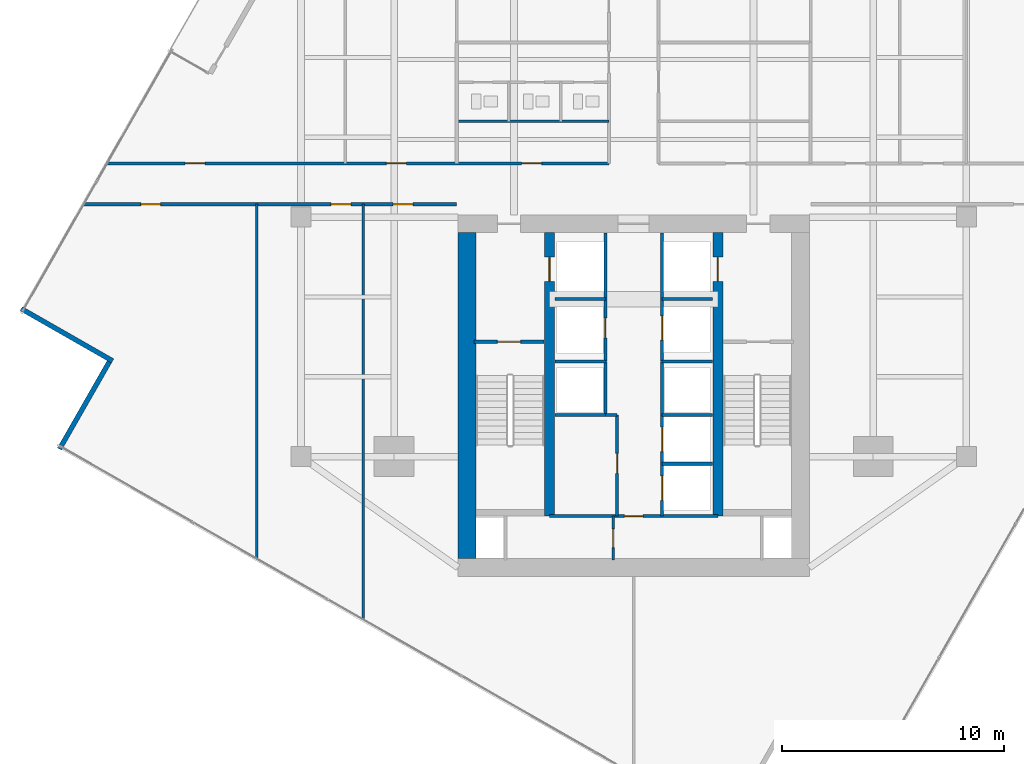
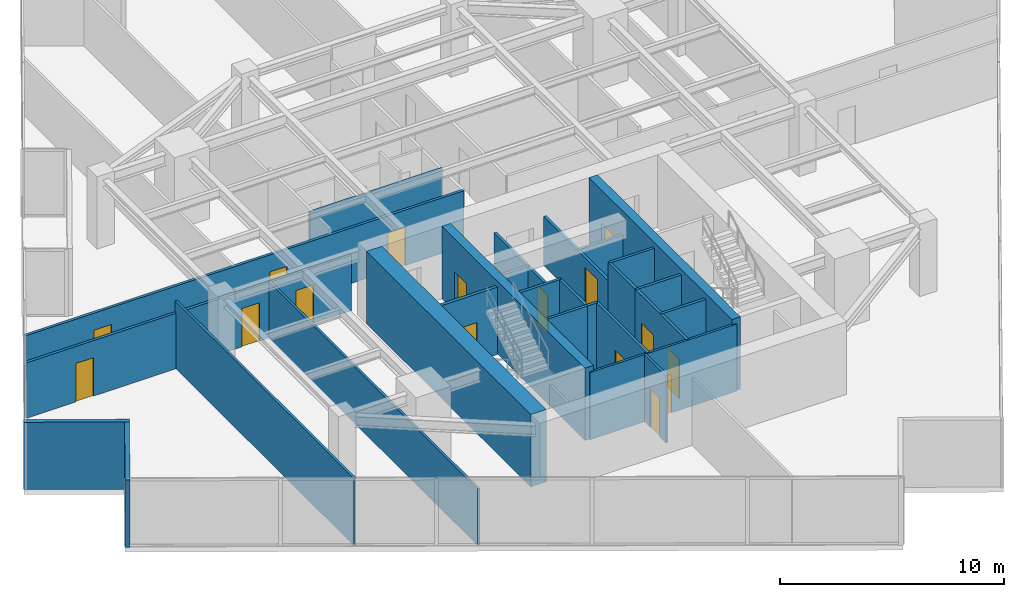
# One storey, part 20 of 24: 27 walls, 16 doors, 16 openings.
"""IFC4 building model written with IfcOpenShell, lengths in metres."""

from ifc_helpers import new_model, si_unit, direction, frame, frame_2d, origin, place, context, subcontext, project, spatial, rectangle, extrude, material, layer, layer_set, type_object, element, fill, save


model = new_model("IFC4")

# Units and contexts
model_context = context("Model", 3, precision=1e-05, world=origin(), true_north=direction((0.0, 1.0)))
body_context = subcontext(model_context, "Body", "Model", "MODEL_VIEW")
ifc_project = project(units=[si_unit("LENGTHUNIT", "METRE"), si_unit("AREAUNIT", "SQUARE_METRE"), si_unit("VOLUMEUNIT", "CUBIC_METRE"), si_unit("PLANEANGLEUNIT", "RADIAN"), si_unit("MASSUNIT", "GRAM", prefix="KILO")], contexts=[model_context])

# Site, building, storey
site_placement = place(None, origin())
site = spatial("IfcSite", under=ifc_project, at=site_placement, CompositionType="ELEMENT")
building_placement = place(site_placement, origin())
building = spatial("IfcBuilding", under=site, at=building_placement, Name="Krantzveldt Concourse Tower", CompositionType="ELEMENT")
storey_placement = place(building_placement, frame((0.0, 0.0, 165.949951171875)))
storey = spatial("IfcBuildingStorey", under=building, at=storey_placement, Name="L40", CompositionType="ELEMENT", Elevation=165.949951171875)

# Walls
ifc_material_1 = material(Name="Anodised aluminium 6063-T6", Category="aluminium")
ifc_layer_1 = layer(ifc_material_1, 0.219970703125, Name="Anodised aluminium 6063-T6", Category="aluminium")
ifc_layer_set_1 = layer_set([ifc_layer_1], Name="Anodised aluminium 6063-T6 (WL-EXT-NOTCH220)")
wall_type_1 = type_object("IfcWallType", Name="WL-EXT-NOTCH220", PredefinedType="ELEMENTEDWALL", material=ifc_layer_set_1)
wall_1_placement = place(storey_placement, frame((8.38525390625, 22.568359375, 0.0), z_axis=(0.0, 0.0, 1.0), x_axis=(0.868192474665, -0.496227595903, 0.0)))
element("IfcWall", 1, at=wall_1_placement, inside=storey, type_object=wall_type_1, Name="EW-L40-NCH06", PredefinedType="ELEMENTEDWALL", context=body_context, shape_type="SweptSolid", body=[
    extrude(rectangle(XDim=4.744873046875, YDim=0.219970703125, at=frame_2d((2.37255859375, 0.0))), origin(), (0.0, 0.0, 1.0), 3.670166015625),
])
wall_2_placement = place(storey_placement, frame((12.354736328125, 20.1728515625, 0.0), z_axis=(0.0, 0.0, 1.0), x_axis=(-0.496226094278, -0.868193332938, 0.0)))
element("IfcWall", 2, at=wall_2_placement, inside=storey, type_object=wall_type_1, Name="EW-L40-NCH07", PredefinedType="ELEMENTEDWALL", context=body_context, shape_type="SweptSolid", body=[
    extrude(rectangle(XDim=4.52490234375, YDim=0.219970703125, at=frame_2d((2.262451171875, 0.0))), origin(), (0.0, 0.0, 1.0), 3.670166015625),
])

# Wall, opening, door
ifc_material_2 = material(Name="Fire-rated gypsum plasterboard on steel stud", Category="steel")
ifc_layer_2 = layer(ifc_material_2, 0.1201171875, Name="Fire-rated gypsum plasterboard on steel stud", Category="steel")
ifc_layer_set_2 = layer_set([ifc_layer_2], Name="Fire-rated gypsum plasterboard on steel stud (WL-PART-120)")
wall_type_2 = type_object("IfcWallType", Name="WL-PART-120", PredefinedType="PARTITIONING", material=ifc_layer_set_2)
wall_3_placement = place(storey_placement, frame((32.2099609375, 13.219970703125, 0.0), z_axis=(0.0, 0.0, 1.0), x_axis=(1.0, 0.0, 0.0)))
wall_3 = element("IfcWall", 3, at=wall_3_placement, inside=storey, type_object=wall_type_2, Name="WP-L40-CS2H", PredefinedType="PARTITIONING", context=body_context, shape_type="SweptSolid", body=[
    extrude(rectangle(XDim=7.580078125, YDim=0.1201171875, at=frame_2d((3.7900390625, 0.0))), origin(), (0.0, 0.0, 1.0), 3.670166015625),
])
opening_1_placement = place(wall_3_placement, frame((3.364990234375, 0.0, 0.0)))
opening_1 = element("IfcOpeningElement", 4, at=opening_1_placement, cuts=wall_3, Name="Opening D-IN085", PredefinedType="OPENING", context=body_context, shape_type="SweptSolid", body=[
    extrude(rectangle(XDim=0.85009765625, YDim=2.10009765625, at=frame_2d((0.425048828125, 1.050048828125))), frame((0.0, 0.070068359375, 0.0), z_axis=(0.0, -1.0, 0.0), x_axis=(1.0, 0.0, 0.0)), (0.0, 0.0, 1.0), 0.14013671875),
])
ifc_material_3 = material(Name="Hardwood timber", Category="wood")
door_type_1 = type_object("IfcDoorType", Name="DR-INT-850", OperationType="SINGLE_SWING_LEFT", PredefinedType="DOOR", material=ifc_material_3)
door_1_placement = place(opening_1_placement, origin())
door_1 = element("IfcDoor", 5, at=door_1_placement, inside=storey, type_object=door_type_1, Name="DR-L40-LLBS", OperationType="SINGLE_SWING_RIGHT", OverallHeight=2.10009765625, OverallWidth=0.85009765625, PredefinedType="DOOR", context=body_context, shape_type="SweptSolid", body=[
    extrude(rectangle(XDim=0.85009765625, YDim=2.10009765625, at=frame_2d((0.425048828125, 1.050048828125))), frame((0.0, 0.02490234375, 0.0), z_axis=(0.0, -1.0, 0.0), x_axis=(1.0, 0.0, 0.0)), (0.0, 0.0, 1.0), 0.050048828125),
])
fill(opening_1, door_1)

wall_4_placement = place(storey_placement, frame((35.080078125, 11.25, 0.0), z_axis=(0.0, 0.0, 1.0), x_axis=(0.0, 1.0, 0.0)))
wall_4 = element("IfcWall", 6, at=wall_4_placement, inside=storey, type_object=wall_type_2, Name="WP-L40-CSA-V", PredefinedType="PARTITIONING", context=body_context, shape_type="SweptSolid", body=[
    extrude(rectangle(XDim=1.969970703125, YDim=0.1201171875, at=frame_2d((0.98486328125, 0.0))), origin(), (0.0, 0.0, 1.0), 3.670166015625),
])
opening_2_placement = place(wall_4_placement, frame((0.544921875, 0.0, 0.0)))
opening_2 = element("IfcOpeningElement", 7, at=opening_2_placement, cuts=wall_4, Name="Opening D-IN085", PredefinedType="OPENING", context=body_context, shape_type="SweptSolid", body=[
    extrude(rectangle(XDim=0.85009765625, YDim=2.10009765625, at=frame_2d((0.425048828125, 1.050048828125))), frame((0.0, 0.070068359375, 0.0), z_axis=(0.0, -1.0, 0.0), x_axis=(1.0, 0.0, 0.0)), (0.0, 0.0, 1.0), 0.14013671875),
])
door_2_placement = place(opening_2_placement, origin())
door_2 = element("IfcDoor", 8, at=door_2_placement, inside=storey, type_object=door_type_1, Name="DR-L40-CSA1", OperationType="SINGLE_SWING_LEFT", OverallHeight=2.10009765625, OverallWidth=0.85009765625, PredefinedType="DOOR", context=body_context, shape_type="SweptSolid", body=[
    extrude(rectangle(XDim=0.85009765625, YDim=2.10009765625, at=frame_2d((0.425048828125, 1.050048828125))), frame((0.0, 0.02490234375, 0.0), z_axis=(0.0, -1.0, 0.0), x_axis=(1.0, 0.0, 0.0)), (0.0, 0.0, 1.0), 0.050048828125),
])
fill(opening_2, door_2)

# Walls
wall_5_placement = place(storey_placement, frame((28.02001953125, 31.02001953125, 0.0), z_axis=(0.0, 0.0, 1.0), x_axis=(1.0, 0.0, 0.0)))
element("IfcWall", 9, at=wall_5_placement, inside=storey, type_object=wall_type_2, Name="WP-L40-ISML", PredefinedType="PARTITIONING", context=body_context, shape_type="SweptSolid", body=[
    extrude(rectangle(XDim=6.85986328125, YDim=0.1201171875, at=frame_2d((3.429931640625, 0.0))), origin(), (0.0, 0.0, 1.0), 3.080078125),
])
wall_6_placement = place(storey_placement, frame((19.0, 11.29541015625, 0.0), z_axis=(0.0, 0.0, 1.0), x_axis=(0.0, 1.0, 0.0)))
element("IfcWall", 10, at=wall_6_placement, inside=storey, type_object=wall_type_2, Name="WP-L40-SWX1", PredefinedType="PARTITIONING", context=body_context, shape_type="SweptSolid", body=[
    extrude(rectangle(XDim=15.984619140625, YDim=0.1201171875, at=frame_2d((7.9921875, 0.0))), origin(), (0.0, 0.0, 1.0), 3.670166015625),
])
wall_7_placement = place(storey_placement, frame((23.800048828125, 8.552001953125, 0.0), z_axis=(0.0, 0.0, 1.0), x_axis=(0.0, 1.0, 0.0)))
element("IfcWall", 11, at=wall_7_placement, inside=storey, type_object=wall_type_2, Name="WP-L40-SWX2", PredefinedType="PARTITIONING", context=body_context, shape_type="SweptSolid", body=[
    extrude(rectangle(XDim=18.72802734375, YDim=0.1201171875, at=frame_2d((9.364013671875, 0.0))), origin(), (0.0, 0.0, 1.0), 3.080078125),
])

# Wall, openings, doors
ifc_layer_3 = layer(ifc_material_2, 0.139892578125, Name="Fire-rated gypsum plasterboard on steel stud", Category="steel")
ifc_layer_set_3 = layer_set([ifc_layer_3], Name="Fire-rated gypsum plasterboard on steel stud (WL-PART-140)")
wall_type_3 = type_object("IfcWallType", Name="WL-PART-140", PredefinedType="PARTITIONING", material=ifc_layer_set_3)
wall_8_placement = place(storey_placement, frame((12.26220703125, 29.1201171875, 0.0), z_axis=(0.0, 0.0, 1.0), x_axis=(1.0, 0.0, 0.0)))
wall_8 = element("IfcWall", 12, at=wall_8_placement, inside=storey, type_object=wall_type_3, Name="WP-L40-EWNL", PredefinedType="PARTITIONING", context=body_context, shape_type="SweptSolid", body=[
    extrude(rectangle(XDim=22.61767578125, YDim=0.139892578125, at=frame_2d((11.308837890625, 0.0))), origin(), (0.0, 0.0, 1.0), 3.030029296875),
])
opening_3_placement = place(wall_8_placement, frame((18.687744140625, 0.0, 0.0)))
opening_3 = element("IfcOpeningElement", 13, at=opening_3_placement, cuts=wall_8, Name="Opening D-IN090", PredefinedType="OPENING", context=body_context, shape_type="SweptSolid", body=[
    extrude(rectangle(XDim=0.89990234375, YDim=2.10009765625, at=frame_2d((0.449951171875, 1.050048828125))), frame((0.0, 0.080078125, 0.0), z_axis=(0.0, -1.0, 0.0), x_axis=(1.0, 0.0, 0.0)), (0.0, 0.0, 1.0), 0.159912109375),
])
opening_4_placement = place(wall_8_placement, frame((3.513916015625, 0.0, 0.0)))
opening_4 = element("IfcOpeningElement", 14, at=opening_4_placement, cuts=wall_8, Name="Opening D-IN090", PredefinedType="OPENING", context=body_context, shape_type="SweptSolid", body=[
    extrude(rectangle(XDim=0.89990234375, YDim=2.10009765625, at=frame_2d((0.449951171875, 1.050048828125))), frame((0.0, 0.080078125, 0.0), z_axis=(0.0, -1.0, 0.0), x_axis=(1.0, 0.0, 0.0)), (0.0, 0.0, 1.0), 0.159912109375),
])
opening_5_placement = place(wall_8_placement, frame((12.587890625, 0.0, 0.0)))
opening_5 = element("IfcOpeningElement", 15, at=opening_5_placement, cuts=wall_8, Name="Opening D-IN090", PredefinedType="OPENING", context=body_context, shape_type="SweptSolid", body=[
    extrude(rectangle(XDim=0.89990234375, YDim=2.10009765625, at=frame_2d((0.449951171875, 1.050048828125))), frame((0.0, 0.080078125, 0.0), z_axis=(0.0, -1.0, 0.0), x_axis=(1.0, 0.0, 0.0)), (0.0, 0.0, 1.0), 0.159912109375),
])
door_type_2 = type_object("IfcDoorType", Name="DR-INT-900", OperationType="SINGLE_SWING_LEFT", PredefinedType="DOOR", material=ifc_material_3)
door_3_placement = place(opening_3_placement, origin())
door_3 = element("IfcDoor", 16, at=door_3_placement, inside=storey, type_object=door_type_2, Name="DR-L40-ALCL", OperationType="SINGLE_SWING_LEFT", OverallHeight=2.10009765625, OverallWidth=0.89990234375, PredefinedType="DOOR", context=body_context, shape_type="SweptSolid", body=[
    extrude(rectangle(XDim=0.89990234375, YDim=2.10009765625, at=frame_2d((0.449951171875, 1.050048828125))), frame((0.0, 0.02490234375, 0.0), z_axis=(0.0, -1.0, 0.0), x_axis=(1.0, 0.0, 0.0)), (0.0, 0.0, 1.0), 0.050048828125),
])
fill(opening_3, door_3)
door_4_placement = place(opening_4_placement, origin())
door_4 = element("IfcDoor", 17, at=door_4_placement, inside=storey, type_object=door_type_2, Name="DR-L40-NWX1", OperationType="SINGLE_SWING_LEFT", OverallHeight=2.10009765625, OverallWidth=0.89990234375, PredefinedType="DOOR", context=body_context, shape_type="SweptSolid", body=[
    extrude(rectangle(XDim=0.89990234375, YDim=2.10009765625, at=frame_2d((0.449951171875, 1.050048828125))), frame((0.0, 0.02490234375, 0.0), z_axis=(0.0, -1.0, 0.0), x_axis=(1.0, 0.0, 0.0)), (0.0, 0.0, 1.0), 0.050048828125),
])
fill(opening_4, door_4)
door_5_placement = place(opening_5_placement, origin())
door_5 = element("IfcDoor", 18, at=door_5_placement, inside=storey, type_object=door_type_2, Name="DR-L40-NWX2", OperationType="SINGLE_SWING_LEFT", OverallHeight=2.10009765625, OverallWidth=0.89990234375, PredefinedType="DOOR", context=body_context, shape_type="SweptSolid", body=[
    extrude(rectangle(XDim=0.89990234375, YDim=2.10009765625, at=frame_2d((0.449951171875, 1.050048828125))), frame((0.0, 0.02490234375, 0.0), z_axis=(0.0, -1.0, 0.0), x_axis=(1.0, 0.0, 0.0)), (0.0, 0.0, 1.0), 0.050048828125),
])
fill(opening_5, door_5)

wall_9_placement = place(storey_placement, frame((11.21044921875, 27.280029296875, 0.0), z_axis=(0.0, 0.0, 1.0), x_axis=(1.0, 0.0, 0.0)))
wall_9 = element("IfcWall", 19, at=wall_9_placement, inside=storey, type_object=wall_type_3, Name="WP-L40-EWSL", PredefinedType="PARTITIONING", context=body_context, shape_type="SweptSolid", body=[
    extrude(rectangle(XDim=16.78955078125, YDim=0.139892578125, at=frame_2d((8.394775390625, 0.0))), origin(), (0.0, 0.0, 1.0), 3.030029296875),
])
opening_6_placement = place(wall_9_placement, frame((2.5654296875, 0.0, 0.0)))
opening_6 = element("IfcOpeningElement", 20, at=opening_6_placement, cuts=wall_9, Name="Opening D-IN090", PredefinedType="OPENING", context=body_context, shape_type="SweptSolid", body=[
    extrude(rectangle(XDim=0.89990234375, YDim=2.10009765625, at=frame_2d((0.449951171875, 1.050048828125))), frame((0.0, 0.080078125, 0.0), z_axis=(0.0, -1.0, 0.0), x_axis=(1.0, 0.0, 0.0)), (0.0, 0.0, 1.0), 0.159912109375),
])
opening_7_placement = place(wall_9_placement, frame((11.139404296875, 0.0, 0.0)))
opening_7 = element("IfcOpeningElement", 21, at=opening_7_placement, cuts=wall_9, Name="Opening D-IN090", PredefinedType="OPENING", context=body_context, shape_type="SweptSolid", body=[
    extrude(rectangle(XDim=0.89990234375, YDim=2.10009765625, at=frame_2d((0.449951171875, 1.050048828125))), frame((0.0, 0.080078125, 0.0), z_axis=(0.0, -1.0, 0.0), x_axis=(1.0, 0.0, 0.0)), (0.0, 0.0, 1.0), 0.159912109375),
])
opening_8_placement = place(wall_9_placement, frame((13.939453125, 0.0, 0.0)))
opening_8 = element("IfcOpeningElement", 22, at=opening_8_placement, cuts=wall_9, Name="Opening D-IN090", PredefinedType="OPENING", context=body_context, shape_type="SweptSolid", body=[
    extrude(rectangle(XDim=0.89990234375, YDim=2.10009765625, at=frame_2d((0.449951171875, 1.050048828125))), frame((0.0, 0.080078125, 0.0), z_axis=(0.0, -1.0, 0.0), x_axis=(1.0, 0.0, 0.0)), (0.0, 0.0, 1.0), 0.159912109375),
])
door_6_placement = place(opening_6_placement, origin())
door_6 = element("IfcDoor", 23, at=door_6_placement, inside=storey, type_object=door_type_2, Name="DR-L40-SWX1", OperationType="SINGLE_SWING_LEFT", OverallHeight=2.10009765625, OverallWidth=0.89990234375, PredefinedType="DOOR", context=body_context, shape_type="SweptSolid", body=[
    extrude(rectangle(XDim=0.89990234375, YDim=2.10009765625, at=frame_2d((0.449951171875, 1.050048828125))), frame((0.0, 0.02490234375, 0.0), z_axis=(0.0, -1.0, 0.0), x_axis=(1.0, 0.0, 0.0)), (0.0, 0.0, 1.0), 0.050048828125),
])
fill(opening_6, door_6)
door_7_placement = place(opening_7_placement, origin())
door_7 = element("IfcDoor", 24, at=door_7_placement, inside=storey, type_object=door_type_2, Name="DR-L40-SWX2", OperationType="SINGLE_SWING_LEFT", OverallHeight=2.10009765625, OverallWidth=0.89990234375, PredefinedType="DOOR", context=body_context, shape_type="SweptSolid", body=[
    extrude(rectangle(XDim=0.89990234375, YDim=2.10009765625, at=frame_2d((0.449951171875, 1.050048828125))), frame((0.0, 0.02490234375, 0.0), z_axis=(0.0, -1.0, 0.0), x_axis=(1.0, 0.0, 0.0)), (0.0, 0.0, 1.0), 0.050048828125),
])
fill(opening_7, door_7)
door_8_placement = place(opening_8_placement, origin())
door_8 = element("IfcDoor", 25, at=door_8_placement, inside=storey, type_object=door_type_2, Name="DR-L40-SWX3", OperationType="SINGLE_SWING_LEFT", OverallHeight=2.10009765625, OverallWidth=0.89990234375, PredefinedType="DOOR", context=body_context, shape_type="SweptSolid", body=[
    extrude(rectangle(XDim=0.89990234375, YDim=2.10009765625, at=frame_2d((0.449951171875, 1.050048828125))), frame((0.0, 0.02490234375, 0.0), z_axis=(0.0, -1.0, 0.0), x_axis=(1.0, 0.0, 0.0)), (0.0, 0.0, 1.0), 0.050048828125),
])
fill(opening_8, door_8)

# Wall, opening, door
ifc_layer_4 = layer(ifc_material_2, 0.139892578125, Name="Fire-rated gypsum plasterboard on steel stud", Category="steel")
ifc_layer_set_4 = layer_set([ifc_layer_4], Name="Fire-rated gypsum plasterboard on steel stud (WL-PART-FR140)")
wall_type_4 = type_object("IfcWallType", Name="WL-PART-FR140", PredefinedType="PARTITIONING", material=ifc_layer_set_4)
wall_10_placement = place(storey_placement, frame((34.719970703125, 20.199951171875, 0.0), z_axis=(0.0, 0.0, 1.0), x_axis=(0.0, 1.0, 0.0)))
wall_10 = element("IfcWall", 26, at=wall_10_placement, inside=storey, type_object=wall_type_4, Name="WP-L40-SHNW", PredefinedType="PARTITIONING", context=body_context, shape_type="SweptSolid", body=[
    extrude(rectangle(XDim=5.780029296875, YDim=0.139892578125, at=frame_2d((2.89013671875, 0.0))), origin(), (0.0, 0.0, 1.0), 2.670166015625),
])
opening_9_placement = place(wall_10_placement, frame((1.050048828125, 0.0, 0.0)))
opening_9 = element("IfcOpeningElement", 27, at=opening_9_placement, cuts=wall_10, Name="Opening D-FD090", PredefinedType="OPENING", context=body_context, shape_type="SweptSolid", body=[
    extrude(rectangle(XDim=0.89990234375, YDim=2.10009765625, at=frame_2d((0.449951171875, 1.050048828125))), frame((0.0, 0.080078125, 0.0), z_axis=(0.0, -1.0, 0.0), x_axis=(1.0, 0.0, 0.0)), (0.0, 0.0, 1.0), 0.159912109375),
])
door_type_3 = type_object("IfcDoorType", Name="DR-FD60-900", OperationType="SINGLE_SWING_LEFT", PredefinedType="DOOR", material=ifc_material_3)
door_9_placement = place(opening_9_placement, origin())
door_9 = element("IfcDoor", 28, at=door_9_placement, inside=storey, type_object=door_type_3, Name="Electrical Riser Access Door L40", OperationType="SINGLE_SWING_LEFT", OverallHeight=2.10009765625, OverallWidth=0.89990234375, PredefinedType="DOOR", context=body_context, shape_type="SweptSolid", body=[
    extrude(rectangle(XDim=0.89990234375, YDim=2.10009765625, at=frame_2d((0.449951171875, 1.050048828125))), frame((0.0, 0.02490234375, 0.0), z_axis=(0.0, -1.0, 0.0), x_axis=(1.0, 0.0, 0.0)), (0.0, 0.0, 1.0), 0.050048828125),
])
fill(opening_9, door_9)

wall_11_placement = place(storey_placement, frame((37.280029296875, 20.199951171875, 0.0), z_axis=(0.0, 0.0, 1.0), x_axis=(0.0, 1.0, 0.0)))
wall_11 = element("IfcWall", 29, at=wall_11_placement, inside=storey, type_object=wall_type_4, Name="WP-L40-SHNE", PredefinedType="PARTITIONING", context=body_context, shape_type="SweptSolid", body=[
    extrude(rectangle(XDim=5.780029296875, YDim=0.139892578125, at=frame_2d((2.89013671875, 0.0))), origin(), (0.0, 0.0, 1.0), 2.670166015625),
])
opening_10_placement = place(wall_11_placement, frame((0.949951171875, 0.0, 0.0)))
opening_10 = element("IfcOpeningElement", 30, at=opening_10_placement, cuts=wall_11, Name="Opening LD", PredefinedType="OPENING", context=body_context, shape_type="SweptSolid", body=[
    extrude(rectangle(XDim=1.10009765625, YDim=2.14990234375, at=frame_2d((0.550048828125, 1.074951171875))), frame((0.0, 0.080078125, 0.0), z_axis=(0.0, -1.0, 0.0), x_axis=(1.0, 0.0, 0.0)), (0.0, 0.0, 1.0), 0.159912109375),
])
ifc_material_4 = material(Name="Stainless steel 316L", Category="steel")
door_type_4 = type_object("IfcDoorType", Name="DR-SLIDE-LD1100", OperationType="DOUBLE_DOOR_SLIDING", PredefinedType="DOOR", material=ifc_material_4)
door_10_placement = place(opening_10_placement, origin())
door_10 = element("IfcDoor", 31, at=door_10_placement, inside=storey, type_object=door_type_4, Name="LD-L40-GL1", OperationType="DOUBLE_DOOR_SLIDING", OverallHeight=2.14990234375, OverallWidth=1.10009765625, PredefinedType="DOOR", context=body_context, shape_type="SweptSolid", body=[
    extrude(rectangle(XDim=1.10009765625, YDim=2.14990234375, at=frame_2d((0.550048828125, 1.074951171875))), frame((0.0, 0.02490234375, 0.0), z_axis=(0.0, -1.0, 0.0), x_axis=(1.0, 0.0, 0.0)), (0.0, 0.0, 1.0), 0.050048828125),
])
fill(opening_10, door_10)

# Walls
for number, where, z_axis, x_axis, name in (
    (32, (32.449951171875, 23.0, 0.0), (0.0, 0.0, 1.0), (1.0, 0.0, 0.0), "WP-L40-RISH"),
    (33, (37.280029296875, 23.0, 0.0), (0.0, 0.0, 1.0), (1.0, 0.0, 0.0), "WP-L40-GLH"),
):
    element("IfcWall", number, at=place(storey_placement, frame(where, z_axis=z_axis, x_axis=x_axis)), inside=storey, type_object=wall_type_4, Name=name, PredefinedType="PARTITIONING", context=body_context, shape_type="SweptSolid", body=[
        extrude(rectangle(XDim=2.27001953125, YDim=0.139892578125, at=frame_2d((1.135009765625, 0.0))), origin(), (0.0, 0.0, 1.0), 2.670166015625),
    ])
for number, where, z_axis, x_axis, name in (
    (34, (34.719970703125, 17.780029296875, 0.0), (0.0, 0.0, 1.0), (0.0, 1.0, 0.0), "WP-L40-SHNW2"),
    (35, (37.280029296875, 17.780029296875, 0.0), (0.0, 0.0, 1.0), (0.0, 1.0, 0.0), "WP-L40-SHNE2"),
):
    element("IfcWall", number, at=place(storey_placement, frame(where, z_axis=z_axis, x_axis=x_axis)), inside=storey, type_object=wall_type_4, Name=name, PredefinedType="PARTITIONING", context=body_context, shape_type="SweptSolid", body=[
        extrude(rectangle(XDim=2.419921875, YDim=0.139892578125, at=frame_2d((1.2099609375, 0.0))), origin(), (0.0, 0.0, 1.0), 3.670166015625),
    ])
for number, where, z_axis, x_axis, name in (
    (36, (32.449951171875, 17.780029296875, 0.0), (0.0, 0.0, 1.0), (1.0, 0.0, 0.0), "WP-L40-DIVW2"),
    (37, (32.449951171875, 20.179931640625, 0.0), (0.0, 0.0, 1.0), (1.0, 0.0, 0.0), "WP-L40-DIVW3"),
    (38, (37.280029296875, 17.780029296875, 0.0), (0.0, 0.0, 1.0), (1.0, 0.0, 0.0), "WP-L40-DIVE2"),
    (39, (37.280029296875, 20.179931640625, 0.0), (0.0, 0.0, 1.0), (1.0, 0.0, 0.0), "WP-L40-DIVE3"),
):
    element("IfcWall", number, at=place(storey_placement, frame(where, z_axis=z_axis, x_axis=x_axis)), inside=storey, type_object=wall_type_4, Name=name, PredefinedType="PARTITIONING", context=body_context, shape_type="SweptSolid", body=[
        extrude(rectangle(XDim=2.27001953125, YDim=0.139892578125, at=frame_2d((1.135009765625, 0.0))), origin(), (0.0, 0.0, 1.0), 3.670166015625),
    ])

# Wall, opening, door
wall_12_placement = place(storey_placement, frame((35.25, 13.219970703125, 0.0), z_axis=(0.0, 0.0, 1.0), x_axis=(0.0, 1.0, 0.0)))
wall_12 = element("IfcWall", 40, at=wall_12_placement, inside=storey, type_object=wall_type_4, Name="WP-L40-RECW", PredefinedType="PARTITIONING", context=body_context, shape_type="SweptSolid", body=[
    extrude(rectangle(XDim=4.56005859375, YDim=0.139892578125, at=frame_2d((2.280029296875, 0.0))), origin(), (0.0, 0.0, 1.0), 3.670166015625),
])
opening_11_placement = place(wall_12_placement, frame((1.929931640625, 0.0, 0.0)))
opening_11 = element("IfcOpeningElement", 41, at=opening_11_placement, cuts=wall_12, Name="Opening D-FD090", PredefinedType="OPENING", context=body_context, shape_type="SweptSolid", body=[
    extrude(rectangle(XDim=0.89990234375, YDim=2.10009765625, at=frame_2d((0.449951171875, 1.050048828125))), frame((0.0, 0.080078125, 0.0), z_axis=(0.0, -1.0, 0.0), x_axis=(1.0, 0.0, 0.0)), (0.0, 0.0, 1.0), 0.159912109375),
])
door_11_placement = place(opening_11_placement, origin())
door_11 = element("IfcDoor", 42, at=door_11_placement, inside=storey, type_object=door_type_3, Name="DR-L40-RECW", OperationType="SINGLE_SWING_LEFT", OverallHeight=2.10009765625, OverallWidth=0.89990234375, PredefinedType="DOOR", context=body_context, shape_type="SweptSolid", body=[
    extrude(rectangle(XDim=0.89990234375, YDim=2.10009765625, at=frame_2d((0.449951171875, 1.050048828125))), frame((0.0, 0.02490234375, 0.0), z_axis=(0.0, -1.0, 0.0), x_axis=(1.0, 0.0, 0.0)), (0.0, 0.0, 1.0), 0.050048828125),
])
fill(opening_11, door_11)

# Wall
wall_13_placement = place(storey_placement, frame((34.719970703125, 17.780029296875, 0.0), z_axis=(0.0, 0.0, 1.0), x_axis=(1.0, 0.0, 0.0)))
element("IfcWall", 43, at=wall_13_placement, inside=storey, type_object=wall_type_4, Name="WP-L40-RECWN", PredefinedType="PARTITIONING", context=body_context, shape_type="SweptSolid", body=[
    extrude(rectangle(XDim=0.530029296875, YDim=0.139892578125, at=frame_2d((0.26513671875, 0.0))), origin(), (0.0, 0.0, 1.0), 3.670166015625),
])

# Wall, openings, doors
wall_14_placement = place(storey_placement, frame((37.280029296875, 13.219970703125, 0.0), z_axis=(0.0, 0.0, 1.0), x_axis=(0.0, 1.0, 0.0)))
wall_14 = element("IfcWall", 44, at=wall_14_placement, inside=storey, type_object=wall_type_4, Name="WP-L40-SHSE", PredefinedType="PARTITIONING", context=body_context, shape_type="SweptSolid", body=[
    extrude(rectangle(XDim=4.56005859375, YDim=0.139892578125, at=frame_2d((2.280029296875, 0.0))), origin(), (0.0, 0.0, 1.0), 3.670166015625),
])
opening_12_placement = place(wall_14_placement, frame((0.7099609375, 0.0, 0.0)))
opening_12 = element("IfcOpeningElement", 45, at=opening_12_placement, cuts=wall_14, Name="Opening LD", PredefinedType="OPENING", context=body_context, shape_type="SweptSolid", body=[
    extrude(rectangle(XDim=1.10009765625, YDim=2.14990234375, at=frame_2d((0.550048828125, 1.074951171875))), frame((0.0, 0.080078125, 0.0), z_axis=(0.0, -1.0, 0.0), x_axis=(1.0, 0.0, 0.0)), (0.0, 0.0, 1.0), 0.159912109375),
])
opening_13_placement = place(wall_14_placement, frame((2.909912109375, 0.0, 0.0)))
opening_13 = element("IfcOpeningElement", 46, at=opening_13_placement, cuts=wall_14, Name="Opening LD", PredefinedType="OPENING", context=body_context, shape_type="SweptSolid", body=[
    extrude(rectangle(XDim=1.10009765625, YDim=2.14990234375, at=frame_2d((0.550048828125, 1.074951171875))), frame((0.0, 0.080078125, 0.0), z_axis=(0.0, -1.0, 0.0), x_axis=(1.0, 0.0, 0.0)), (0.0, 0.0, 1.0), 0.159912109375),
])
door_12_placement = place(opening_12_placement, origin())
door_12 = element("IfcDoor", 47, at=door_12_placement, inside=storey, type_object=door_type_4, Name="LD-L40-PM1", OperationType="DOUBLE_DOOR_SLIDING", OverallHeight=2.14990234375, OverallWidth=1.10009765625, PredefinedType="DOOR", context=body_context, shape_type="SweptSolid", body=[
    extrude(rectangle(XDim=1.10009765625, YDim=2.14990234375, at=frame_2d((0.550048828125, 1.074951171875))), frame((0.0, 0.02490234375, 0.0), z_axis=(0.0, -1.0, 0.0), x_axis=(1.0, 0.0, 0.0)), (0.0, 0.0, 1.0), 0.050048828125),
])
fill(opening_12, door_12)
door_13_placement = place(opening_13_placement, origin())
door_13 = element("IfcDoor", 48, at=door_13_placement, inside=storey, type_object=door_type_4, Name="LD-L40-PM2", OperationType="DOUBLE_DOOR_SLIDING", OverallHeight=2.14990234375, OverallWidth=1.10009765625, PredefinedType="DOOR", context=body_context, shape_type="SweptSolid", body=[
    extrude(rectangle(XDim=1.10009765625, YDim=2.14990234375, at=frame_2d((0.550048828125, 1.074951171875))), frame((0.0, 0.02490234375, 0.0), z_axis=(0.0, -1.0, 0.0), x_axis=(1.0, 0.0, 0.0)), (0.0, 0.0, 1.0), 0.050048828125),
])
fill(opening_13, door_13)

# Wall
wall_15_placement = place(storey_placement, frame((37.280029296875, 15.580078125, 0.0), z_axis=(0.0, 0.0, 1.0), x_axis=(1.0, 0.0, 0.0)))
element("IfcWall", 49, at=wall_15_placement, inside=storey, type_object=wall_type_4, Name="WP-L40-DIVE1", PredefinedType="PARTITIONING", context=body_context, shape_type="SweptSolid", body=[
    extrude(rectangle(XDim=2.27001953125, YDim=0.139892578125, at=frame_2d((1.135009765625, 0.0))), origin(), (0.0, 0.0, 1.0), 3.670166015625),
])

# Wall, opening, door
ifc_layer_5 = layer(ifc_material_2, 0.159912109375, Name="Fire-rated gypsum plasterboard on steel stud", Category="steel")
ifc_layer_set_5 = layer_set([ifc_layer_5], Name="Fire-rated gypsum plasterboard on steel stud (WL-PART-FR160)")
wall_type_5 = type_object("IfcWallType", Name="WL-PART-FR160", PredefinedType="PARTITIONING", material=ifc_layer_set_5)
wall_16_placement = place(storey_placement, frame((28.800048828125, 21.080078125, 0.0), z_axis=(0.0, 0.0, 1.0), x_axis=(1.0, 0.0, 0.0)))
wall_16 = element("IfcWall", 50, at=wall_16_placement, inside=storey, type_object=wall_type_5, Name="WP-L40-ST1", PredefinedType="PARTITIONING", context=body_context, shape_type="SweptSolid", body=[
    extrude(rectangle(XDim=3.159912109375, YDim=0.159912109375, at=frame_2d((1.580078125, 0.0))), origin(), (0.0, 0.0, 1.0), 3.670166015625),
])
opening_14_placement = place(wall_16_placement, frame((1.054931640625, 0.0, 0.0)))
opening_14 = element("IfcOpeningElement", 51, at=opening_14_placement, cuts=wall_16, Name="Opening D-FD105", PredefinedType="OPENING", context=body_context, shape_type="SweptSolid", body=[
    extrude(rectangle(XDim=1.050048828125, YDim=2.10009765625, at=frame_2d((0.52490234375, 1.050048828125))), frame((0.0, 0.08984375, 0.0), z_axis=(0.0, -1.0, 0.0), x_axis=(1.0, 0.0, 0.0)), (0.0, 0.0, 1.0), 0.179931640625),
])
ifc_material_5 = material(Name="Galvanised steel", Category="steel")
door_type_5 = type_object("IfcDoorType", Name="DR-FD120-1050", OperationType="SINGLE_SWING_LEFT", PredefinedType="DOOR", material=ifc_material_5)
door_14_placement = place(opening_14_placement, origin())
door_14 = element("IfcDoor", 52, at=door_14_placement, inside=storey, type_object=door_type_5, Name="DR-L40-ST1", OperationType="SINGLE_SWING_RIGHT", OverallHeight=2.10009765625, OverallWidth=1.050048828125, PredefinedType="DOOR", context=body_context, shape_type="SweptSolid", body=[
    extrude(rectangle(XDim=1.050048828125, YDim=2.10009765625, at=frame_2d((0.52490234375, 1.050048828125))), frame((0.0, 0.02490234375, 0.0), z_axis=(0.0, -1.0, 0.0), x_axis=(1.0, 0.0, 0.0)), (0.0, 0.0, 1.0), 0.050048828125),
])
fill(opening_14, door_14)

ifc_material_6 = material(Name="Concrete C50/60", Category="concrete")
ifc_layer_6 = layer(ifc_material_6, 0.449951171875, Name="Concrete C50/60", Category="concrete")
ifc_layer_set_6 = layer_set([ifc_layer_6], Name="Concrete C50/60 (WL-SHEAR-450)")
wall_type_6 = type_object("IfcWallType", Name="WL-SHEAR-450", PredefinedType="SHEAR", material=ifc_layer_set_6)
wall_17_placement = place(storey_placement, frame((32.205078125, 13.219970703125, 0.0), z_axis=(0.0, 0.0, 1.0), x_axis=(0.0, 1.0, 0.0)))
wall_17 = element("IfcWall", 53, at=wall_17_placement, inside=storey, type_object=wall_type_6, Name="CW-L40-IW", PredefinedType="SHEAR", context=body_context, shape_type="SweptSolid", body=[
    extrude(rectangle(XDim=12.780029296875, YDim=0.449951171875, at=frame_2d((6.39013671875, 0.0))), origin(), (0.0, 0.0, 1.0), 3.949951171875),
])
opening_15_placement = place(wall_17_placement, frame((10.580078125, 0.0, 0.0)))
opening_15 = element("IfcOpeningElement", 54, at=opening_15_placement, cuts=wall_17, Name="Opening LD", PredefinedType="OPENING", context=body_context, shape_type="SweptSolid", body=[
    extrude(rectangle(XDim=1.10009765625, YDim=2.14990234375, at=frame_2d((0.550048828125, 1.074951171875))), frame((0.0, 0.23486328125, 0.0), z_axis=(0.0, -1.0, 0.0), x_axis=(1.0, 0.0, 0.0)), (0.0, 0.0, 1.0), 0.469970703125),
])
door_15_placement = place(opening_15_placement, origin())
door_15 = element("IfcDoor", 55, at=door_15_placement, inside=storey, type_object=door_type_4, Name="LD-L40-FL1", OperationType="DOUBLE_DOOR_SLIDING", OverallHeight=2.14990234375, OverallWidth=1.10009765625, PredefinedType="DOOR", context=body_context, shape_type="SweptSolid", body=[
    extrude(rectangle(XDim=1.10009765625, YDim=2.14990234375, at=frame_2d((0.550048828125, 1.074951171875))), frame((0.0, 0.02490234375, 0.0), z_axis=(0.0, -1.0, 0.0), x_axis=(1.0, 0.0, 0.0)), (0.0, 0.0, 1.0), 0.050048828125),
])
fill(opening_15, door_15)

wall_18_placement = place(storey_placement, frame((39.794921875, 13.219970703125, 0.0), z_axis=(0.0, 0.0, 1.0), x_axis=(0.0, 1.0, 0.0)))
wall_18 = element("IfcWall", 56, at=wall_18_placement, inside=storey, type_object=wall_type_6, Name="CW-L40-IE", PredefinedType="SHEAR", context=body_context, shape_type="SweptSolid", body=[
    extrude(rectangle(XDim=12.780029296875, YDim=0.449951171875, at=frame_2d((6.39013671875, 0.0))), origin(), (0.0, 0.0, 1.0), 3.949951171875),
])
opening_16_placement = place(wall_18_placement, frame((10.580078125, 0.0, 0.0)))
opening_16 = element("IfcOpeningElement", 57, at=opening_16_placement, cuts=wall_18, Name="Opening LD", PredefinedType="OPENING", context=body_context, shape_type="SweptSolid", body=[
    extrude(rectangle(XDim=1.10009765625, YDim=2.14990234375, at=frame_2d((0.550048828125, 1.074951171875))), frame((0.0, 0.23486328125, 0.0), z_axis=(0.0, -1.0, 0.0), x_axis=(1.0, 0.0, 0.0)), (0.0, 0.0, 1.0), 0.469970703125),
])
door_16_placement = place(opening_16_placement, origin())
door_16 = element("IfcDoor", 58, at=door_16_placement, inside=storey, type_object=door_type_4, Name="LD-L40-FL2", OperationType="DOUBLE_DOOR_SLIDING", OverallHeight=2.14990234375, OverallWidth=1.10009765625, PredefinedType="DOOR", context=body_context, shape_type="SweptSolid", body=[
    extrude(rectangle(XDim=1.10009765625, YDim=2.14990234375, at=frame_2d((0.550048828125, 1.074951171875))), frame((0.0, 0.02490234375, 0.0), z_axis=(0.0, -1.0, 0.0), x_axis=(1.0, 0.0, 0.0)), (0.0, 0.0, 1.0), 0.050048828125),
])
fill(opening_16, door_16)

# Wall
ifc_material_7 = material(Name="Concrete C60/75", Category="concrete")
ifc_layer_7 = layer(ifc_material_7, 0.800048828125, Name="Concrete C60/75", Category="concrete")
ifc_layer_set_7 = layer_set([ifc_layer_7], Name="Concrete C60/75 (WL-SHEAR-800)")
wall_type_7 = type_object("IfcWallType", Name="WL-SHEAR-800", PredefinedType="SHEAR", material=ifc_layer_set_7)
wall_19_placement = place(storey_placement, frame((28.47998046875, 11.300048828125, 0.0), z_axis=(0.0, 0.0, 1.0), x_axis=(0.0, 1.0, 0.0)))
element("IfcWall", 59, at=wall_19_placement, inside=storey, type_object=wall_type_7, Name="CW-L40-W", PredefinedType="SHEAR", context=body_context, shape_type="SweptSolid", body=[
    extrude(rectangle(XDim=14.699951171875, YDim=0.800048828125, at=frame_2d((7.35009765625, 0.0))), origin(), (0.0, 0.0, 1.0), 3.949951171875),
])

save(model, "model.ifc")
